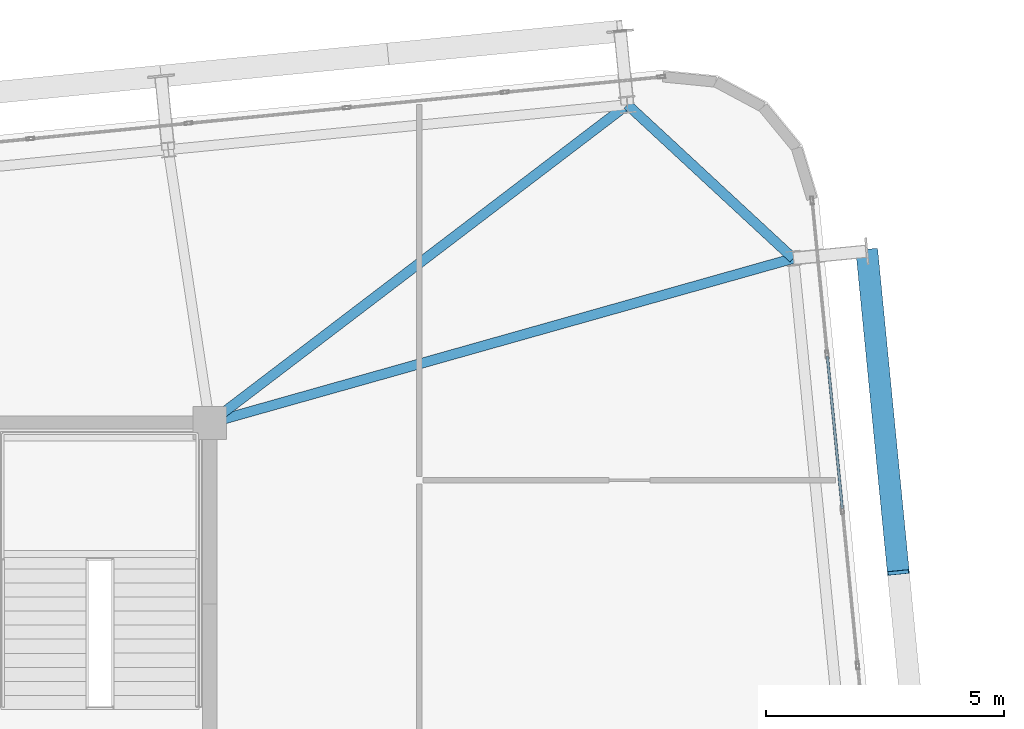
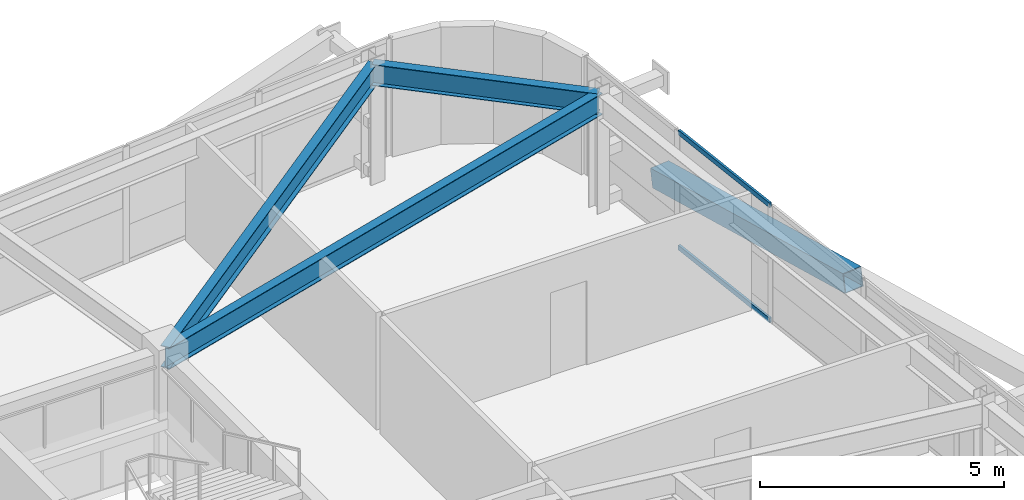
# One storey, part 34 of 52: 3 beams, 3 members, 1 element without a shape of its own.
"""IFC4 building model written with IfcOpenShell, lengths in metres."""

from ifc_helpers import new_model, si_unit, direction, frame, origin, origin_2d, place, context, subcontext, project, spatial, hollow_rectangle, i_section, extrude, source, transform, mapped, material, layer, layer_set, material_profile, profile_set, type_object, element, aggregate, save


model = new_model("IFC4")

# Units and contexts
model_context = context("Model", 3, precision=1e-05, world=origin(), true_north=direction((0.0, 1.0)))
body_context = subcontext(model_context, "Body", "Model", "MODEL_VIEW")
ifc_project = project(units=[si_unit("LENGTHUNIT", "METRE"), si_unit("AREAUNIT", "SQUARE_METRE"), si_unit("VOLUMEUNIT", "CUBIC_METRE"), si_unit("PLANEANGLEUNIT", "RADIAN"), si_unit("MASSUNIT", "GRAM", prefix="KILO")], contexts=[model_context])

# Site, building, storey
site_placement = place(None, origin())
site = spatial("IfcSite", under=ifc_project, at=site_placement, CompositionType="ELEMENT")
building_placement = place(site_placement, origin())
building = spatial("IfcBuilding", under=site, at=building_placement, Name="Taldren Reach Tower", CompositionType="ELEMENT")
storey_placement = place(building_placement, frame((0.0, 0.0, 74.550048828125)))
storey = spatial("IfcBuildingStorey", under=building, at=storey_placement, Name="L22", CompositionType="ELEMENT", Elevation=74.550048828125)

# Beams
ifc_material_1 = material(Name="Steel Gr 350 (350PLUS)", Category="steel")
ifc_material_profile_1 = material_profile(ifc_material_1, i_section(OverallWidth=0.208984375, OverallDepth=0.528076171875, WebThickness=0.009521484375, FlangeThickness=0.01318359375, at=origin_2d()), Name="530UB82.0")
ifc_profile_set_1 = profile_set([ifc_material_profile_1], Name="Steel Gr 350 (350PLUS)")
beam_type_1 = type_object("IfcBeamType", Name="SP-UB530B", PredefinedType="SPANDREL", material=ifc_profile_set_1)
shared_shape_1 = source(origin(), body_context, "Body", "SweptSolid", [
    extrude(i_section(OverallWidth=0.208984375, OverallDepth=0.528076171875, WebThickness=0.009521484375, FlangeThickness=0.01318359375, at=origin_2d()), origin(), (0.0, 0.0, 1.0), 4.74609375),
])
beam_1_placement = place(storey_placement, frame((63.247314453125, 35.454345703125, 2.666015625), z_axis=(-0.733547883762, 0.679637772809, 0.0), x_axis=(-0.679637772809, -0.733547883762, 0.0)))
element("IfcBeam", 1, at=beam_1_placement, inside=storey, type_object=beam_type_1, Name="Perimeter spandrel B2 E3-N6 L22", PredefinedType="SPANDREL", context=body_context, shape_type="MappedRepresentation", body=[
    mapped(shared_shape_1, transform((0.0, 0.0, 0.0), scale=1.0)),
])
ifc_material_profile_2 = material_profile(ifc_material_1, i_section(OverallWidth=0.208984375, OverallDepth=0.532958984375, WebThickness=0.01025390625, FlangeThickness=0.015625, at=origin_2d()), Name="530UB92.4")
ifc_profile_set_2 = profile_set([ifc_material_profile_2], Name="Steel Gr 350 (350PLUS)")
beam_type_2 = type_object("IfcBeamType", Name="BM-UB530A", PredefinedType="BEAM", material=ifc_profile_set_2)
shared_shape_2 = source(origin(), body_context, "Body", "SweptSolid", [
    extrude(i_section(OverallWidth=0.208984375, OverallDepth=0.532958984375, WebThickness=0.01025390625, FlangeThickness=0.015625, at=origin_2d()), origin(), (0.0, 0.0, 1.0), 12.72509765625),
])
beam_2_placement = place(storey_placement, frame((51.0, 32.0, 2.663330078125), z_axis=(0.962450190096, 0.271458342264, 0.0), x_axis=(-0.271458342264, 0.962450190096, 0.0)))
element("IfcBeam", 2, at=beam_2_placement, inside=storey, type_object=beam_type_2, Name="Primary floor girder B2-E3 L22", PredefinedType="BEAM", context=body_context, shape_type="MappedRepresentation", body=[
    mapped(shared_shape_2, transform((0.0, 0.0, 0.0), scale=1.0)),
])
shared_shape_3 = source(origin(), body_context, "Body", "SweptSolid", [
    extrude(i_section(OverallWidth=0.208984375, OverallDepth=0.532958984375, WebThickness=0.01025390625, FlangeThickness=0.015625, at=origin_2d()), origin(), (0.0, 0.0, 1.0), 11.02099609375),
])
beam_3_placement = place(storey_placement, frame((51.0, 32.0, 2.663330078125), z_axis=(0.795380356763, 0.606110623629, 0.0), x_axis=(-0.606110623629, 0.795380356763, 0.0)))
element("IfcBeam", 3, at=beam_3_placement, inside=storey, type_object=beam_type_2, Name="Primary floor girder B2-N6 L22", PredefinedType="BEAM", context=body_context, shape_type="MappedRepresentation", body=[
    mapped(shared_shape_3, transform((0.0, 0.0, 0.0), scale=1.0)),
])

# Member
ifc_material_2 = material(Name="Steel Gr 450 (C450L0)", Category="steel")
ifc_material_profile_3 = material_profile(ifc_material_2, hollow_rectangle(XDim=0.4599609375, YDim=0.4599609375, WallThickness=0.01611328125, at=origin_2d()), Name="460x460x16.0SHS")
ifc_profile_set_3 = profile_set([ifc_material_profile_3], Name="Steel Gr 450 (C450L0)")
member_type_1 = type_object("IfcMemberType", Name="MB-EXO457", PredefinedType="BRACE", material=ifc_profile_set_3)
shared_shape_4 = source(origin(), body_context, "Body", "SweptSolid", [
    extrude(hollow_rectangle(XDim=0.4599609375, YDim=0.4599609375, WallThickness=0.01611328125, at=origin_2d()), origin(), (0.0, 0.0, 1.0), 6.883056640625),
])
member_1_placement = place(storey_placement, frame((64.789794921875, 35.60546875, 0.219970703125), z_axis=(0.09605145821, -0.97959718347, 0.176531797456), x_axis=(0.995227290009, 0.097584021339, 0.0)))
element("IfcMember", 4, at=member_1_placement, inside=storey, type_object=member_type_1, Name="Exoskeleton Diagrid Brace B2-E2 L22", PredefinedType="BRACE", context=body_context, shape_type="MappedRepresentation", body=[
    mapped(shared_shape_4, transform((0.0, 0.0, 0.0), scale=1.0)),
])

# Curtain wall, members
ifc_material_3 = material(Name="Aluminium and Low-E Glass Unitised System", Category="aluminium")
ifc_layer = layer(ifc_material_3, 0.159912109375)
ifc_layer_set = layer_set([ifc_layer], Name="Aluminium and Low-E Glass Unitised System")
curtain_wall_type = type_object("IfcCurtainWallType", Name="CW-SYS-3", PredefinedType="NOTDEFINED", material=ifc_layer_set)
curtain_wall_placement = place(storey_placement, origin())
curtain_wall = element("IfcCurtainWall", 5, at=curtain_wall_placement, inside=storey, type_object=curtain_wall_type, Name="Unitised curtain wall CW-L22-E", PredefinedType="NOTDEFINED")
ifc_material_4 = material(Name="Anodised Aluminium 6063-T6", Category="aluminium")
ifc_material_profile_4 = material_profile(ifc_material_4, hollow_rectangle(XDim=0.054931640625, YDim=0.1201171875, WallThickness=0.0029296875, at=origin_2d()), Name="ALU-120x55x3RHS")
ifc_profile_set_4 = profile_set([ifc_material_profile_4], Name="Anodised Aluminium 6063-T6")
member_type_2 = type_object("IfcMemberType", Name="CW-TRN-135", PredefinedType="USERDEFINED", material=ifc_profile_set_4)
shared_shape_5 = source(origin(), body_context, "Body", "SweptSolid", [
    extrude(hollow_rectangle(XDim=0.054931640625, YDim=0.1201171875, WallThickness=0.0029296875, at=origin_2d()), origin(), (0.0, 0.0, 1.0), 3.212890625),
])
member_2_placement = place(storey_placement, frame((64.274169921875, 30.206298828125, 0.02734375), z_axis=(-0.097569948235, 0.995228669805, 0.0), x_axis=(-0.995228669805, -0.097569948235, 0.0)))
member_2 = element("IfcMember", 6, at=member_2_placement, type_object=member_type_2, Name="CW-3 transom 8.1", ObjectType="TRANSOM", PredefinedType="USERDEFINED", context=body_context, shape_type="MappedRepresentation", body=[
    mapped(shared_shape_5, transform((0.0, 0.0, 0.0), scale=1.0)),
])
member_3_placement = place(storey_placement, frame((64.274169921875, 30.206298828125, 2.90234375), z_axis=(-0.097569948235, 0.995228669805, 0.0), x_axis=(-0.995228669805, -0.097569948235, 0.0)))
member_3 = element("IfcMember", 7, at=member_3_placement, type_object=member_type_2, Name="CW-3 transom 8.2", ObjectType="TRANSOM", PredefinedType="USERDEFINED", context=body_context, shape_type="MappedRepresentation", body=[
    mapped(shared_shape_5, transform((0.0, 0.0, 0.0), scale=1.0)),
])
aggregate(curtain_wall, [member_2, member_3])

save(model, "model.ifc")
